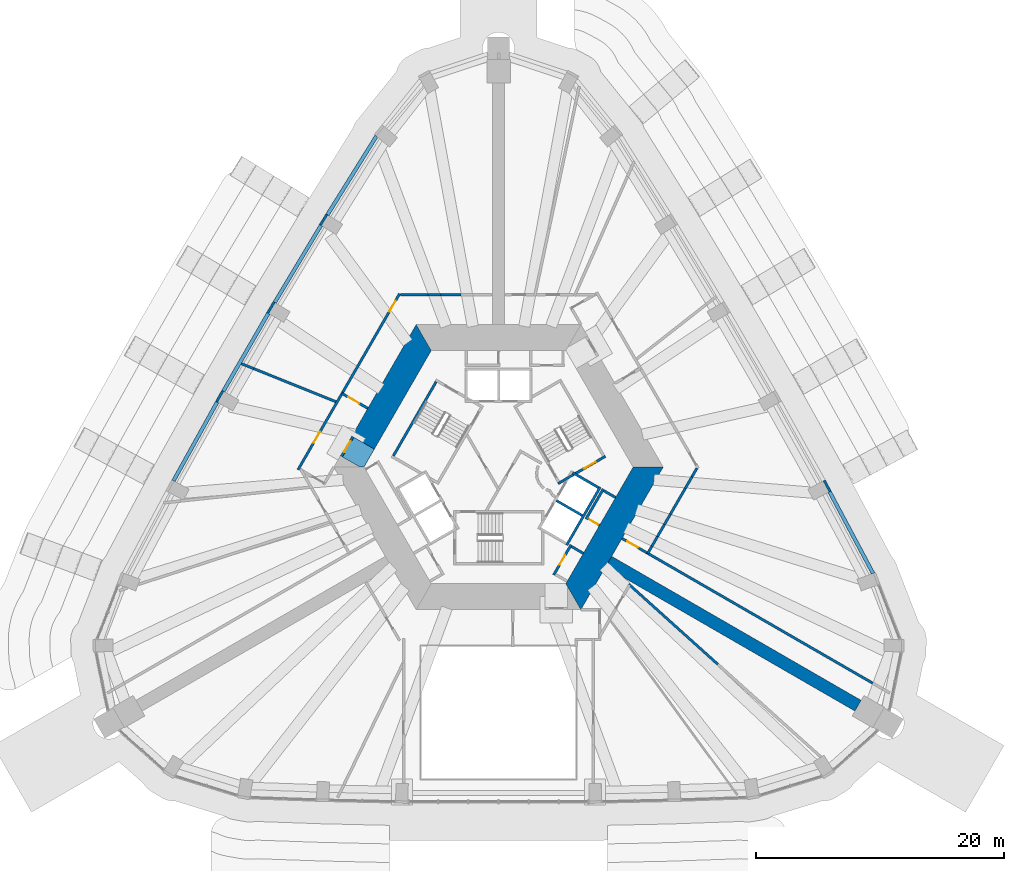
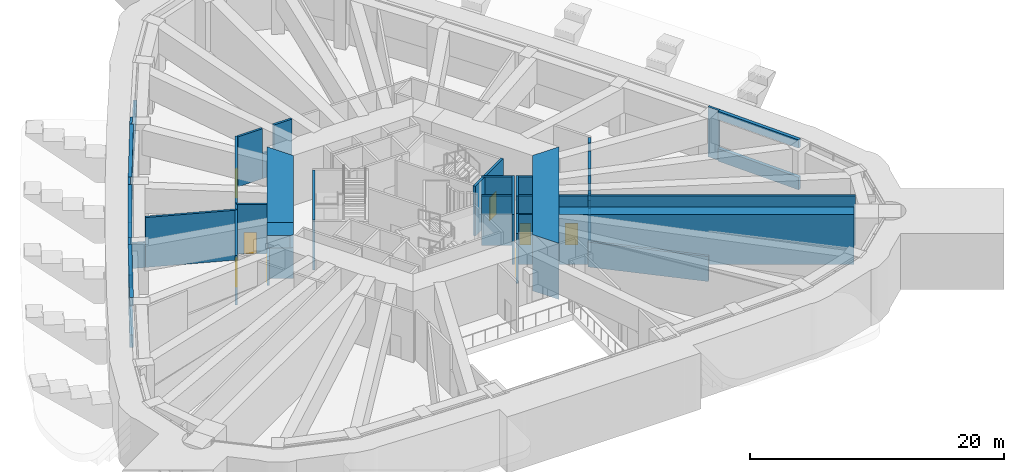
# One storey, part 10 of 21: 46 walls, 8 doors, 8 openings.
"""IFC4 building model written with IfcOpenShell, lengths in metres."""

from ifc_helpers import new_model, si_unit, direction, frame, frame_2d, origin, place, context, subcontext, project, spatial, polyline, rectangle, outline, extrude, material, layer, layer_set, type_object, element, fill, save


model = new_model("IFC4")

# Units and contexts
model_context = context("Model", 3, precision=1e-05, world=origin(), true_north=direction((0.0, 1.0)))
body_context = subcontext(model_context, "Body", "Model", "MODEL_VIEW")
ifc_project = project(units=[si_unit("LENGTHUNIT", "METRE"), si_unit("AREAUNIT", "SQUARE_METRE"), si_unit("VOLUMEUNIT", "CUBIC_METRE"), si_unit("PLANEANGLEUNIT", "RADIAN"), si_unit("MASSUNIT", "GRAM", prefix="KILO")], contexts=[model_context])

# Site, building, storey
site_placement = place(None, origin())
site = spatial("IfcSite", under=ifc_project, at=site_placement, CompositionType="ELEMENT")
building_placement = place(site_placement, origin())
building = spatial("IfcBuilding", under=site, at=building_placement, Name="Entoto Arch Interchange Tower", CompositionType="ELEMENT")
storey_placement = place(building_placement, frame((0.0, 0.0, 236.0)))
storey = spatial("IfcBuildingStorey", under=building, at=storey_placement, Name="L53", CompositionType="ELEMENT", Elevation=236.0)

# Wall, opening, door
ifc_material_1 = material(Name="Reinforced concrete C40/50", Category="concrete")
ifc_layer_1 = layer(ifc_material_1, 0.199951171875)
ifc_layer_set_1 = layer_set([ifc_layer_1], Name="Reinforced concrete C40/50")
wall_type_1 = type_object("IfcWallType", Name="CORE GAP INFILL WALL", PredefinedType="PARTITIONING", material=ifc_layer_set_1)
wall_1_placement = place(storey_placement, frame((-11.748046875, 4.951904296875, 0.0), z_axis=(0.0, 0.0, 1.0), x_axis=(-0.500215337403, -0.865901042976, 0.0)))
wall_1 = element("IfcWall", 1, at=wall_1_placement, inside=storey, type_object=wall_type_1, Name="wall:L53:gap3", PredefinedType="PARTITIONING", context=body_context, shape_type="SweptSolid", body=[
    extrude(rectangle(XDim=1.829345703125, YDim=0.199951171875, at=frame_2d((0.91455078125, 0.0))), origin(), (0.0, 0.0, 1.0), 2.39990234375),
])
opening_1_placement = place(wall_1_placement, frame((0.4150390625, 0.0, 0.0)))
opening_1 = element("IfcOpeningElement", 2, at=opening_1_placement, cuts=wall_1, Name="Opening L53-D93", PredefinedType="OPENING", context=body_context, shape_type="SweptSolid", body=[
    extrude(rectangle(XDim=1.0, YDim=2.10009765625, at=frame_2d((0.5, 1.050048828125))), frame((0.0, 0.10986328125, 0.0), z_axis=(0.0, -1.0, 0.0), x_axis=(1.0, 0.0, 0.0)), (0.0, 0.0, 1.0), 0.219970703125),
])
ifc_material_2 = material(Name="Fire-rated Steel S235 door and frame", Category="steel")
door_type_1 = type_object("IfcDoorType", Name="DOOR FD-10 1000x2100", OperationType="SINGLE_SWING_LEFT", PredefinedType="DOOR", material=ifc_material_2)
door_1_placement = place(opening_1_placement, origin())
door_1 = element("IfcDoor", 3, at=door_1_placement, inside=storey, type_object=door_type_1, Name="door:L53:gap3", OperationType="SINGLE_SWING_LEFT", OverallHeight=2.10009765625, OverallWidth=1.0, PredefinedType="DOOR", context=body_context, shape_type="SweptSolid", body=[
    extrude(rectangle(XDim=1.0, YDim=2.10009765625, at=frame_2d((0.5, 1.050048828125))), frame((0.0, 0.02490234375, 0.0), z_axis=(0.0, -1.0, 0.0), x_axis=(1.0, 0.0, 0.0)), (0.0, 0.0, 1.0), 0.050048828125),
])
fill(opening_1, door_1)

# Walls
ifc_material_3 = material(Name="Concrete C50/60", Category="concrete")
ifc_layer_2 = layer(ifc_material_3, 2.10009765625)
ifc_layer_set_2 = layer_set([ifc_layer_2], Name="Concrete C50/60")
wall_type_2 = type_object("IfcWallType", Name="Core wall 2100 C50/60", PredefinedType="SHEAR", material=ifc_layer_set_2)
wall_2_placement = place(storey_placement, frame((0.0, 0.0, -0.60009765625)))
element("IfcWall", 4, at=wall_2_placement, inside=storey, type_object=wall_type_2, Name="Core wall NW L53", PredefinedType="SHEAR", context=body_context, shape_type="SweptSolid", body=[
    extrude(outline(polyline([(-11.833984375, 5.001953125), (-10.01611328125, 3.951904296875), (-5.427001953125, 11.89990234375), (-6.639892578125, 14.0), (-11.833984375, 5.001953125)])), origin(), (0.0, 0.0, 1.0), 5.400146484375),
])
wall_3_placement = place(storey_placement, frame((0.0, 0.0, 3.60009765625)))
element("IfcWall", 5, at=wall_3_placement, inside=storey, type_object=wall_type_2, Name="Core wall lintel NW L53", PredefinedType="SHEAR", context=body_context, shape_type="SweptSolid", body=[
    extrude(outline(polyline([(-12.7490234375, 3.4169921875), (-11.159912109375, 2.5), (-10.85400390625, 2.5), (-10.01611328125, 3.951904296875), (-11.833984375, 5.001953125), (-12.7490234375, 3.4169921875)])), origin(), (0.0, 0.0, 1.0), 1.199951171875),
])
wall_4_placement = place(storey_placement, frame((0.0, 0.0, -0.60009765625)))
element("IfcWall", 6, at=wall_4_placement, inside=storey, type_object=wall_type_2, Name="Core wall SE L53", PredefinedType="SHEAR", context=body_context, shape_type="SweptSolid", body=[
    extrude(outline(polyline([(6.639892578125, -9.0), (13.279052734375, 2.5), (10.85400390625, 2.5), (5.427001953125, -6.89990234375), (6.639892578125, -9.0)])), origin(), (0.0, 0.0, 1.0), 5.400146484375),
])
ifc_material_4 = material(Name="Concrete C40/50", Category="concrete")
ifc_layer_3 = layer(ifc_material_4, 0.199951171875)
ifc_layer_set_3 = layer_set([ifc_layer_3], Name="Concrete C40/50")
wall_type_3 = type_object("IfcWallType", Name="LIFT SHAFT WALL 200", PredefinedType="STANDARD", material=ifc_layer_set_3)
wall_5_placement = place(storey_placement, frame((5.491943359375, -3.7880859375, 0.0), z_axis=(0.0, 0.0, 1.0), x_axis=(0.500034260056, 0.866005622828, 0.0)))
element("IfcWall", 7, at=wall_5_placement, inside=storey, type_object=wall_type_3, Name="Shaft wall SE1 back", PredefinedType="STANDARD", context=body_context, shape_type="SweptSolid", body=[
    extrude(rectangle(XDim=5.3994140625, YDim=0.199951171875, at=frame_2d((2.69970703125, 0.0))), origin(), (0.0, 0.0, 1.0), 4.800048828125),
])
for number, where, z_axis, x_axis, name in (
    (8, (4.677001953125, -0.199951171875, 0.0), (0.0, 0.0, 1.0), (0.865973769406, -0.500089422704, 0.0), "Shaft wall SE1 cross 2"),
    (9, (5.97705078125, 2.052001953125, 0.0), (0.0, 0.0, 1.0), (0.865973769406, -0.500089422704, 0.0), "Shaft wall SE1 cross 3"),
):
    element("IfcWall", number, at=place(storey_placement, frame(where, z_axis=z_axis, x_axis=x_axis)), inside=storey, type_object=wall_type_3, Name=name, PredefinedType="STANDARD", context=body_context, shape_type="SweptSolid", body=[
        extrude(rectangle(XDim=2.3994140625, YDim=0.199951171875, at=frame_2d((1.19970703125, 0.0))), origin(), (0.0, 0.0, 1.0), 4.800048828125),
    ])
ifc_layer_4 = layer(ifc_material_3, 1.0)
ifc_layer_set_4 = layer_set([ifc_layer_4], Name="Concrete C50/60")
wall_type_4 = type_object("IfcWallType", Name="Outrigger wall 1000 C50/60", PredefinedType="SHEAR", material=ifc_layer_set_4)
wall_6_placement = place(storey_placement, frame((8.876953125, -5.125, 0.0), z_axis=(0.0, 0.0, 1.0), x_axis=(0.866032640494, -0.499987465442, 0.0)))
element("IfcWall", 10, at=wall_6_placement, inside=storey, type_object=wall_type_4, Name="Outrigger wall SE L53", PredefinedType="SHEAR", context=body_context, shape_type="SweptSolid", body=[
    extrude(rectangle(XDim=23.232421875, YDim=1.0, at=frame_2d((11.6162109375, 0.0))), origin(), (0.0, 0.0, 1.0), 4.800048828125),
])

# Wall, opening, door
ifc_material_5 = material(Name="Gypsum board partition on steel studs", Category="steel")
ifc_layer_5 = layer(ifc_material_5, 0.199951171875)
ifc_layer_set_5 = layer_set([ifc_layer_5], Name="Gypsum board partition on steel studs")
wall_type_5 = type_object("IfcWallType", Name="PARTITION 200", PredefinedType="PARTITIONING", material=ifc_layer_set_5)
wall_7_placement = place(storey_placement, frame((4.450927734375, -6.18994140625, 0.0), z_axis=(0.0, 0.0, 1.0), x_axis=(0.500011755427, 0.866018616679, 0.0)))
wall_7 = element("IfcWall", 11, at=wall_7_placement, inside=storey, type_object=wall_type_5, Name="wall:L53:p008", PredefinedType="PARTITIONING", context=body_context, shape_type="SweptSolid", body=[
    extrude(rectangle(XDim=2.80029296875, YDim=0.199951171875, at=frame_2d((1.400146484375, 0.0))), origin(), (0.0, 0.0, 1.0), 4.800048828125),
])
opening_2_placement = place(wall_7_placement, frame((0.949951171875, 0.0, 0.0)))
opening_2 = element("IfcOpeningElement", 12, at=opening_2_placement, cuts=wall_7, Name="Opening L53-D24", PredefinedType="OPENING", context=body_context, shape_type="SweptSolid", body=[
    extrude(rectangle(XDim=0.89990234375, YDim=2.10009765625, at=frame_2d((0.449951171875, 1.050048828125))), frame((0.0, 0.10986328125, 0.0), z_axis=(0.0, -1.0, 0.0), x_axis=(1.0, 0.0, 0.0)), (0.0, 0.0, 1.0), 0.219970703125),
])
ifc_material_6 = material(Name="Timber door leaf in Steel S235 frame", Category="steel")
door_type_2 = type_object("IfcDoorType", Name="DOOR DS-09 900x2100", OperationType="SINGLE_SWING_LEFT", PredefinedType="DOOR", material=ifc_material_6)
door_2_placement = place(opening_2_placement, origin())
door_2 = element("IfcDoor", 13, at=door_2_placement, inside=storey, type_object=door_type_2, Name="door:L53:24", OperationType="SINGLE_SWING_LEFT", OverallHeight=2.10009765625, OverallWidth=0.89990234375, PredefinedType="DOOR", context=body_context, shape_type="SweptSolid", body=[
    extrude(rectangle(XDim=0.89990234375, YDim=2.10009765625, at=frame_2d((0.449951171875, 1.050048828125))), frame((0.0, 0.02490234375, 0.0), z_axis=(0.0, -1.0, 0.0), x_axis=(1.0, 0.0, 0.0)), (0.0, 0.0, 1.0), 0.050048828125),
])
fill(opening_2, door_2)

# Wall
wall_8_placement = place(storey_placement, frame((5.887939453125, -3.902099609375, 0.0), z_axis=(0.0, 0.0, 1.0), x_axis=(0.86621513555, -0.499671230855, 0.0)))
element("IfcWall", 14, at=wall_8_placement, inside=storey, type_object=wall_type_5, Name="wall:L53:p009", PredefinedType="PARTITIONING", context=body_context, shape_type="SweptSolid", body=[
    extrude(rectangle(XDim=1.100341796875, YDim=0.199951171875, at=frame_2d((0.55029296875, 0.0))), origin(), (0.0, 0.0, 1.0), 4.800048828125),
])

# Wall, opening, door
wall_9_placement = place(storey_placement, frame((8.139892578125, -2.199951171875, 0.0), z_axis=(0.0, 0.0, 1.0), x_axis=(-0.865841558281, 0.500318294642, 0.0)))
wall_9 = element("IfcWall", 15, at=wall_9_placement, inside=storey, type_object=wall_type_5, Name="wall:L53:p010", PredefinedType="PARTITIONING", context=body_context, shape_type="SweptSolid", body=[
    extrude(rectangle(XDim=1.099365234375, YDim=0.199951171875, at=frame_2d((0.5498046875, 0.0))), origin(), (0.0, 0.0, 1.0), 4.800048828125),
])
opening_3_placement = place(wall_9_placement, frame((0.10009765625, 0.0, 0.0)))
opening_3 = element("IfcOpeningElement", 16, at=opening_3_placement, cuts=wall_9, Name="Opening L53-D25", PredefinedType="OPENING", context=body_context, shape_type="SweptSolid", body=[
    extrude(rectangle(XDim=0.89990234375, YDim=2.10009765625, at=frame_2d((0.449951171875, 1.050048828125))), frame((0.0, 0.10986328125, 0.0), z_axis=(0.0, -1.0, 0.0), x_axis=(1.0, 0.0, 0.0)), (0.0, 0.0, 1.0), 0.219970703125),
])
door_3_placement = place(opening_3_placement, origin())
door_3 = element("IfcDoor", 17, at=door_3_placement, inside=storey, type_object=door_type_2, Name="door:L53:25", OperationType="SINGLE_SWING_RIGHT", OverallHeight=2.10009765625, OverallWidth=0.89990234375, PredefinedType="DOOR", context=body_context, shape_type="SweptSolid", body=[
    extrude(rectangle(XDim=0.89990234375, YDim=2.10009765625, at=frame_2d((0.449951171875, 1.050048828125))), frame((0.0, 0.02490234375, 0.0), z_axis=(0.0, -1.0, 0.0), x_axis=(1.0, 0.0, 0.0)), (0.0, 0.0, 1.0), 0.050048828125),
])
fill(opening_3, door_3)

# Walls
wall_10_placement = place(storey_placement, frame((7.051025390625, -1.68701171875, 0.0), z_axis=(0.0, 0.0, 1.0), x_axis=(0.49994636267, 0.866056369097, 0.0)))
element("IfcWall", 18, at=wall_10_placement, inside=storey, type_object=wall_type_5, Name="wall:L53:p011", PredefinedType="PARTITIONING", context=body_context, shape_type="SweptSolid", body=[
    extrude(rectangle(XDim=2.800048828125, YDim=0.199951171875, at=frame_2d((1.39990234375, 0.0))), origin(), (0.0, 0.0, 1.0), 4.800048828125),
])
wall_11_placement = place(storey_placement, frame((8.488037109375, 0.60205078125, 0.0), z_axis=(0.0, 0.0, 1.0), x_axis=(0.866063652425, -0.499933745558, 0.0)))
element("IfcWall", 19, at=wall_11_placement, inside=storey, type_object=wall_type_5, Name="wall:L53:p012", PredefinedType="PARTITIONING", context=body_context, shape_type="SweptSolid", body=[
    extrude(rectangle(XDim=1.100341796875, YDim=0.199951171875, at=frame_2d((0.55029296875, 0.0))), origin(), (0.0, 0.0, 1.0), 4.800048828125),
])
wall_12_placement = place(storey_placement, frame((10.491943359375, -6.93310546875, 0.0), z_axis=(0.0, 0.0, 1.0), x_axis=(0.743607411776, -0.668616494825, 0.0)))
element("IfcWall", 20, at=wall_12_placement, inside=storey, type_object=wall_type_5, Name="wall:L53:p046", PredefinedType="PARTITIONING", context=body_context, shape_type="SweptSolid", body=[
    extrude(rectangle(XDim=9.685302734375, YDim=0.199951171875, at=frame_2d((4.8427734375, 0.0))), origin(), (0.0, 0.0, 1.0), 2.39990234375),
])

# Wall, opening, door
wall_13_placement = place(storey_placement, frame((11.950927734375, -4.39990234375, 0.0), z_axis=(0.0, 0.0, 1.0), x_axis=(-0.866053019151, 0.499952165731, 0.0)))
wall_13 = element("IfcWall", 21, at=wall_13_placement, inside=storey, type_object=wall_type_5, Name="wall:L53:p047", PredefinedType="PARTITIONING", context=body_context, shape_type="SweptSolid", body=[
    extrude(rectangle(XDim=2.300048828125, YDim=0.199951171875, at=frame_2d((1.14990234375, 0.0))), origin(), (0.0, 0.0, 1.0), 4.800048828125),
])
opening_4_placement = place(wall_13_placement, frame((0.821044921875, 0.0, 0.0)))
opening_4 = element("IfcOpeningElement", 22, at=opening_4_placement, cuts=wall_13, Name="Opening L53-D19", PredefinedType="OPENING", context=body_context, shape_type="SweptSolid", body=[
    extrude(rectangle(XDim=1.0, YDim=2.10009765625, at=frame_2d((0.5, 1.050048828125))), frame((0.0, 0.10986328125, 0.0), z_axis=(0.0, -1.0, 0.0), x_axis=(1.0, 0.0, 0.0)), (0.0, 0.0, 1.0), 0.219970703125),
])
door_type_3 = type_object("IfcDoorType", Name="DOOR DS-10 1000x2100", OperationType="SINGLE_SWING_LEFT", PredefinedType="DOOR", material=ifc_material_6)
door_4_placement = place(opening_4_placement, origin())
door_4 = element("IfcDoor", 23, at=door_4_placement, inside=storey, type_object=door_type_3, Name="door:L53:19", OperationType="SINGLE_SWING_LEFT", OverallHeight=2.10009765625, OverallWidth=1.0, PredefinedType="DOOR", context=body_context, shape_type="SweptSolid", body=[
    extrude(rectangle(XDim=1.0, YDim=2.10009765625, at=frame_2d((0.5, 1.050048828125))), frame((0.0, 0.02490234375, 0.0), z_axis=(0.0, -1.0, 0.0), x_axis=(1.0, 0.0, 0.0)), (0.0, 0.0, 1.0), 0.050048828125),
])
fill(opening_4, door_4)

# Walls
wall_14_placement = place(storey_placement, frame((11.950927734375, -4.39990234375, 0.0), z_axis=(0.0, 0.0, 1.0), x_axis=(0.866036805702, -0.49998025078, 0.0)))
element("IfcWall", 24, at=wall_14_placement, inside=storey, type_object=wall_type_5, Name="wall:L53:p048", PredefinedType="PARTITIONING", context=body_context, shape_type="SweptSolid", body=[
    extrude(rectangle(XDim=21.040771484375, YDim=0.199951171875, at=frame_2d((10.5205078125, 0.0))), origin(), (0.0, 0.0, 1.0), 4.800048828125),
])
wall_15_placement = place(storey_placement, frame((16.0, 2.4130859375, 0.0), z_axis=(0.0, 0.0, 1.0), x_axis=(-0.499775670035, -0.866154882016, 0.0)))
element("IfcWall", 25, at=wall_15_placement, inside=storey, type_object=wall_type_5, Name="wall:L53:p054", PredefinedType="PARTITIONING", context=body_context, shape_type="SweptSolid", body=[
    extrude(rectangle(XDim=0.794189453125, YDim=0.199951171875, at=frame_2d((0.39697265625, 0.0))), origin(), (0.0, 0.0, 1.0), 4.800048828125),
])

# Wall, opening, door
wall_16_placement = place(storey_placement, frame((-12.6201171875, 8.44091796875, 0.0), z_axis=(0.0, 0.0, 1.0), x_axis=(0.865999212041, -0.500045362686, 0.0)))
wall_16 = element("IfcWall", 26, at=wall_16_placement, inside=storey, type_object=wall_type_5, Name="wall:L53:p062", PredefinedType="PARTITIONING", context=body_context, shape_type="SweptSolid", body=[
    extrude(rectangle(XDim=2.399658203125, YDim=0.199951171875, at=frame_2d((1.19970703125, 0.0))), origin(), (0.0, 0.0, 1.0), 4.800048828125),
])
opening_5_placement = place(wall_16_placement, frame((0.60009765625, 0.0, 0.0)))
opening_5 = element("IfcOpeningElement", 27, at=opening_5_placement, cuts=wall_16, Name="Opening L53-D12", PredefinedType="OPENING", context=body_context, shape_type="SweptSolid", body=[
    extrude(rectangle(XDim=1.0, YDim=2.10009765625, at=frame_2d((0.5, 1.050048828125))), frame((0.0, 0.10986328125, 0.0), z_axis=(0.0, -1.0, 0.0), x_axis=(1.0, 0.0, 0.0)), (0.0, 0.0, 1.0), 0.219970703125),
])
door_5_placement = place(opening_5_placement, origin())
door_5 = element("IfcDoor", 28, at=door_5_placement, inside=storey, type_object=door_type_1, Name="door:L53:12", OperationType="SINGLE_SWING_RIGHT", OverallHeight=2.10009765625, OverallWidth=1.0, PredefinedType="DOOR", context=body_context, shape_type="SweptSolid", body=[
    extrude(rectangle(XDim=1.0, YDim=2.10009765625, at=frame_2d((0.5, 1.050048828125))), frame((0.0, 0.02490234375, 0.0), z_axis=(0.0, -1.0, 0.0), x_axis=(1.0, 0.0, 0.0)), (0.0, 0.0, 1.0), 0.050048828125),
])
fill(opening_5, door_5)

wall_17_placement = place(storey_placement, frame((-16.169921875, 2.2919921875, 0.0), z_axis=(0.0, 0.0, 1.0), x_axis=(0.499942581134, 0.866058552045, 0.0)))
wall_17 = element("IfcWall", 29, at=wall_17_placement, inside=storey, type_object=wall_type_5, Name="wall:L53:p065", PredefinedType="PARTITIONING", context=body_context, shape_type="SweptSolid", body=[
    extrude(rectangle(XDim=7.200439453125, YDim=0.199951171875, at=frame_2d((3.60009765625, 0.0))), origin(), (0.0, 0.0, 1.0), 4.800048828125),
])
opening_6_placement = place(wall_17_placement, frame((2.510009765625, 0.0, 0.0)))
opening_6 = element("IfcOpeningElement", 30, at=opening_6_placement, cuts=wall_17, Name="Opening L53-D14", PredefinedType="OPENING", context=body_context, shape_type="SweptSolid", body=[
    extrude(rectangle(XDim=1.0, YDim=2.10009765625, at=frame_2d((0.5, 1.050048828125))), frame((0.0, 0.10986328125, 0.0), z_axis=(0.0, -1.0, 0.0), x_axis=(1.0, 0.0, 0.0)), (0.0, 0.0, 1.0), 0.219970703125),
])
door_6_placement = place(opening_6_placement, origin())
door_6 = element("IfcDoor", 31, at=door_6_placement, inside=storey, type_object=door_type_1, Name="door:L53:14", OperationType="SINGLE_SWING_RIGHT", OverallHeight=2.10009765625, OverallWidth=1.0, PredefinedType="DOOR", context=body_context, shape_type="SweptSolid", body=[
    extrude(rectangle(XDim=1.0, YDim=2.10009765625, at=frame_2d((0.5, 1.050048828125))), frame((0.0, 0.02490234375, 0.0), z_axis=(0.0, -1.0, 0.0), x_axis=(1.0, 0.0, 0.0)), (0.0, 0.0, 1.0), 0.050048828125),
])
fill(opening_6, door_6)

# Wall
wall_18_placement = place(storey_placement, frame((-7.926025390625, 16.39990234375, 0.0), z_axis=(0.0, 0.0, 1.0), x_axis=(1.0, 0.0, 0.0)))
element("IfcWall", 32, at=wall_18_placement, inside=storey, type_object=wall_type_5, Name="wall:L53:p066", PredefinedType="PARTITIONING", context=body_context, shape_type="SweptSolid", body=[
    extrude(rectangle(XDim=2.22412109375, YDim=0.199951171875, at=frame_2d((1.112060546875, 0.0))), origin(), (0.0, 0.0, 1.0), 4.800048828125),
])

# Wall, opening, door
wall_19_placement = place(storey_placement, frame((-12.570068359375, 8.528076171875, 0.0), z_axis=(0.0, 0.0, 1.0), x_axis=(0.499907967521, 0.866078532241, 0.0)))
wall_19 = element("IfcWall", 33, at=wall_19_placement, inside=storey, type_object=wall_type_5, Name="wall:L53:p067", PredefinedType="PARTITIONING", context=body_context, shape_type="SweptSolid", body=[
    extrude(rectangle(XDim=9.189697265625, YDim=0.199951171875, at=frame_2d((4.5947265625, 0.0))), origin(), (0.0, 0.0, 1.0), 4.800048828125),
])
opening_7_placement = place(wall_19_placement, frame((7.534912109375, 0.0, 0.0)))
opening_7 = element("IfcOpeningElement", 34, at=opening_7_placement, cuts=wall_19, Name="Opening L53-D15", PredefinedType="OPENING", context=body_context, shape_type="SweptSolid", body=[
    extrude(rectangle(XDim=1.0, YDim=2.10009765625, at=frame_2d((0.5, 1.050048828125))), frame((0.0, 0.10986328125, 0.0), z_axis=(0.0, -1.0, 0.0), x_axis=(1.0, 0.0, 0.0)), (0.0, 0.0, 1.0), 0.219970703125),
])
door_7_placement = place(opening_7_placement, origin())
door_7 = element("IfcDoor", 35, at=door_7_placement, inside=storey, type_object=door_type_1, Name="door:L53:15", OperationType="SINGLE_SWING_LEFT", OverallHeight=2.10009765625, OverallWidth=1.0, PredefinedType="DOOR", context=body_context, shape_type="SweptSolid", body=[
    extrude(rectangle(XDim=1.0, YDim=2.10009765625, at=frame_2d((0.5, 1.050048828125))), frame((0.0, 0.02490234375, 0.0), z_axis=(0.0, -1.0, 0.0), x_axis=(1.0, 0.0, 0.0)), (0.0, 0.0, 1.0), 0.050048828125),
])
fill(opening_7, door_7)

# Walls
wall_20_placement = place(storey_placement, frame((-20.738037109375, 10.844970703125, 0.0), z_axis=(0.0, 0.0, 1.0), x_axis=(0.927817184834, -0.373035214862, 0.0)))
element("IfcWall", 36, at=wall_20_placement, inside=storey, type_object=wall_type_5, Name="wall:L53:p070", PredefinedType="PARTITIONING", context=body_context, shape_type="SweptSolid", body=[
    extrude(rectangle(XDim=1.07470703125, YDim=0.199951171875, at=frame_2d((0.537353515625, 0.0))), origin(), (0.0, 0.0, 1.0), 2.39990234375),
])
wall_21_placement = place(storey_placement, frame((15.60302734375, 1.72509765625, 0.0), z_axis=(0.0, 0.0, 1.0), x_axis=(-0.500348398615, -0.865824162289, 0.0)))
element("IfcWall", 37, at=wall_21_placement, inside=storey, type_object=wall_type_5, Name="wall:L53:p054", PredefinedType="PARTITIONING", context=body_context, shape_type="SweptSolid", body=[
    extrude(rectangle(XDim=1.091552734375, YDim=0.199951171875, at=frame_2d((0.5458984375, 0.0))), origin(), (0.0, 0.0, 1.0), 2.39990234375),
])
wall_22_placement = place(storey_placement, frame((15.056884765625, 0.780029296875, 0.0), z_axis=(0.0, 0.0, 1.0), x_axis=(-0.499905644439, -0.86607987314, 0.0)))
element("IfcWall", 38, at=wall_22_placement, inside=storey, type_object=wall_type_5, Name="wall:L53:p054", PredefinedType="PARTITIONING", context=body_context, shape_type="SweptSolid", body=[
    extrude(rectangle(XDim=2.38427734375, YDim=0.199951171875, at=frame_2d((1.192138671875, 0.0))), origin(), (0.0, 0.0, 1.0), 4.800048828125),
])
wall_23_placement = place(storey_placement, frame((13.864990234375, -1.284912109375, 0.0), z_axis=(0.0, 0.0, 1.0), x_axis=(-0.499555159482, -0.866282080292, 0.0)))
element("IfcWall", 39, at=wall_23_placement, inside=storey, type_object=wall_type_5, Name="wall:L53:p054", PredefinedType="PARTITIONING", context=body_context, shape_type="SweptSolid", body=[
    extrude(rectangle(XDim=0.96875, YDim=0.199951171875, at=frame_2d((0.484375, 0.0))), origin(), (0.0, 0.0, 1.0), 2.39990234375),
])
wall_24_placement = place(storey_placement, frame((13.381103515625, -2.1240234375, 0.0), z_axis=(0.0, 0.0, 1.0), x_axis=(-0.500431039639, -0.865776399866, 0.0)))
element("IfcWall", 40, at=wall_24_placement, inside=storey, type_object=wall_type_5, Name="wall:L53:p054", PredefinedType="PARTITIONING", context=body_context, shape_type="SweptSolid", body=[
    extrude(rectangle(XDim=1.11328125, YDim=0.199951171875, at=frame_2d((0.556640625, 0.0))), origin(), (0.0, 0.0, 1.0), 4.800048828125),
])
wall_25_placement = place(storey_placement, frame((12.823974609375, -3.087890625, 0.0), z_axis=(0.0, 0.0, 1.0), x_axis=(-0.499454108712, -0.866340344952, 0.0)))
element("IfcWall", 41, at=wall_25_placement, inside=storey, type_object=wall_type_5, Name="wall:L53:p054", PredefinedType="PARTITIONING", context=body_context, shape_type="SweptSolid", body=[
    extrude(rectangle(XDim=0.9189453125, YDim=0.199951171875, at=frame_2d((0.45947265625, 0.0))), origin(), (0.0, 0.0, 1.0), 2.39990234375),
])
wall_26_placement = place(storey_placement, frame((12.364990234375, -3.884033203125, 0.0), z_axis=(0.0, 0.0, 1.0), x_axis=(-0.500196687681, -0.865911816314, 0.0)))
element("IfcWall", 42, at=wall_26_placement, inside=storey, type_object=wall_type_5, Name="wall:L53:p054", PredefinedType="PARTITIONING", context=body_context, shape_type="SweptSolid", body=[
    extrude(rectangle(XDim=0.653564453125, YDim=0.199951171875, at=frame_2d((0.32666015625, 0.0))), origin(), (0.0, 0.0, 1.0), 4.800048828125),
])
wall_27_placement = place(storey_placement, frame((-5.701904296875, 16.39990234375, 0.0), z_axis=(0.0, 0.0, 1.0), x_axis=(1.0, 0.0, 0.0)))
element("IfcWall", 43, at=wall_27_placement, inside=storey, type_object=wall_type_5, Name="wall:L53:p066", PredefinedType="PARTITIONING", context=body_context, shape_type="SweptSolid", body=[
    extrude(rectangle(XDim=1.034912109375, YDim=0.199951171875, at=frame_2d((0.517578125, 0.0))), origin(), (0.0, 0.0, 1.0), 2.39990234375),
])
wall_28_placement = place(storey_placement, frame((-4.6669921875, 16.39990234375, 0.0), z_axis=(0.0, 0.0, 1.0), x_axis=(1.0, 0.0, 0.0)))
element("IfcWall", 44, at=wall_28_placement, inside=storey, type_object=wall_type_5, Name="wall:L53:p066", PredefinedType="PARTITIONING", context=body_context, shape_type="SweptSolid", body=[
    extrude(rectangle(XDim=1.65087890625, YDim=0.199951171875, at=frame_2d((0.825439453125, 0.0))), origin(), (0.0, 0.0, 1.0), 4.800048828125),
])
wall_29_placement = place(storey_placement, frame((-19.740966796875, 10.444091796875, 0.0), z_axis=(0.0, 0.0, 1.0), x_axis=(0.927679169768, -0.373378304107, 0.0)))
element("IfcWall", 45, at=wall_29_placement, inside=storey, type_object=wall_type_5, Name="wall:L53:p070", PredefinedType="PARTITIONING", context=body_context, shape_type="SweptSolid", body=[
    extrude(rectangle(XDim=7.23974609375, YDim=0.199951171875, at=frame_2d((3.619873046875, 0.0))), origin(), (0.0, 0.0, 1.0), 4.800048828125),
])
ifc_material_7 = material(Name="Board-marked precast concrete C50/60", Category="concrete")
ifc_layer_6 = layer(ifc_material_7, 0.199951171875)
ifc_layer_set_6 = layer_set([ifc_layer_6], Name="Board-marked precast concrete C50/60")
wall_type_6 = type_object("IfcWallType", Name="PRECAST FRAME WALL 200", PredefinedType="STANDARD", material=ifc_layer_set_6)
wall_30_placement = place(storey_placement, frame((26.738037109375, 0.547119140625, 0.0), z_axis=(0.0, 0.0, 1.0), x_axis=(-0.473954279336, 0.880549454091, 0.0)))
element("IfcWall", 46, at=wall_30_placement, inside=storey, type_object=wall_type_6, Name="Frame pier NE02 L53", PredefinedType="STANDARD", context=body_context, shape_type="SweptSolid", body=[
    extrude(rectangle(XDim=1.000244140625, YDim=0.199951171875, at=frame_2d((0.5, 0.0))), origin(), (0.0, 0.0, 1.0), 4.800048828125),
])
wall_31_placement = place(storey_placement, frame((-13.843017578125, 22.883056640625, 0.0), z_axis=(0.0, 0.0, 1.0), x_axis=(-0.525648735675, -0.850701714282, 0.0)))
element("IfcWall", 47, at=wall_31_placement, inside=storey, type_object=wall_type_6, Name="Frame pier NW02 L53", PredefinedType="STANDARD", context=body_context, shape_type="SweptSolid", body=[
    extrude(rectangle(XDim=1.00048828125, YDim=0.199951171875, at=frame_2d((0.500244140625, 0.0))), origin(), (0.0, 0.0, 1.0), 4.800048828125),
])
wall_32_placement = place(storey_placement, frame((-18.10302734375, 15.801025390625, 0.0), z_axis=(0.0, 0.0, 1.0), x_axis=(-0.508161541526, -0.861261776531, 0.0)))
element("IfcWall", 48, at=wall_32_placement, inside=storey, type_object=wall_type_6, Name="Frame pier NW03 L53", PredefinedType="STANDARD", context=body_context, shape_type="SweptSolid", body=[
    extrude(rectangle(XDim=0.999755859375, YDim=0.199951171875, at=frame_2d((0.5, 0.0))), origin(), (0.0, 0.0, 1.0), 4.800048828125),
])
wall_33_placement = place(storey_placement, frame((-22.242919921875, 8.64794921875, 0.0), z_axis=(0.0, 0.0, 1.0), x_axis=(-0.492033129803, -0.870576475202, 0.0)))
element("IfcWall", 49, at=wall_33_placement, inside=storey, type_object=wall_type_6, Name="Frame pier NW04 L53", PredefinedType="STANDARD", context=body_context, shape_type="SweptSolid", body=[
    extrude(rectangle(XDim=1.000244140625, YDim=0.199951171875, at=frame_2d((0.5, 0.0))), origin(), (0.0, 0.0, 1.0), 4.800048828125),
])
ifc_layer_7 = layer(ifc_material_7, 0.300048828125)
ifc_layer_set_7 = layer_set([ifc_layer_7], Name="Board-marked precast concrete C50/60")
wall_type_7 = type_object("IfcWallType", Name="PRECAST FRAME WALL 300", PredefinedType="STANDARD", material=ifc_layer_set_7)
wall_34_placement = place(storey_placement, frame((30.20703125, -6.068115234375, 0.0), z_axis=(0.0, 0.0, 1.0), x_axis=(-0.470523779067, 0.882387314807, 0.0)))
element("IfcWall", 50, at=wall_34_placement, inside=storey, type_object=wall_type_7, Name="Frame sill wall NE-01 L53", PredefinedType="STANDARD", context=body_context, shape_type="SweptSolid", body=[
    extrude(rectangle(XDim=7.470703125, YDim=0.300048828125, at=frame_2d((3.7353515625, 0.0))), origin(), (0.0, 0.0, 1.0), 1.199951171875),
])
wall_35_placement = place(storey_placement, frame((30.20703125, -6.068115234375, 4.0), z_axis=(0.0, 0.0, 1.0), x_axis=(-0.470523779067, 0.882387314807, 0.0)))
element("IfcWall", 51, at=wall_35_placement, inside=storey, type_object=wall_type_7, Name="Frame head wall NE-01 L53", PredefinedType="STANDARD", context=body_context, shape_type="SweptSolid", body=[
    extrude(rectangle(XDim=7.470703125, YDim=0.300048828125, at=frame_2d((3.7353515625, 0.0))), origin(), (0.0, 0.0, 1.0), 0.800048828125),
])
wall_36_placement = place(storey_placement, frame((-9.847900390625, 29.194091796875, 0.0), z_axis=(0.0, 0.0, 1.0), x_axis=(-0.528961462244, -0.848645845722, 0.0)))
element("IfcWall", 52, at=wall_36_placement, inside=storey, type_object=wall_type_7, Name="Frame sill wall NW-01 L53", PredefinedType="STANDARD", context=body_context, shape_type="SweptSolid", body=[
    extrude(rectangle(XDim=7.4697265625, YDim=0.300048828125, at=frame_2d((3.73486328125, 0.0))), origin(), (0.0, 0.0, 1.0), 1.199951171875),
])
wall_37_placement = place(storey_placement, frame((-14.320068359375, 22.0029296875, 0.0), z_axis=(0.0, 0.0, 1.0), x_axis=(-0.51437714024, -0.857564083669, 0.0)))
element("IfcWall", 53, at=wall_37_placement, inside=storey, type_object=wall_type_7, Name="Frame sill wall NW-02 L53", PredefinedType="STANDARD", context=body_context, shape_type="SweptSolid", body=[
    extrude(rectangle(XDim=7.2646484375, YDim=0.300048828125, at=frame_2d((3.63232421875, 0.0))), origin(), (0.0, 0.0, 1.0), 1.199951171875),
])
wall_38_placement = place(storey_placement, frame((-14.320068359375, 22.0029296875, 4.0), z_axis=(0.0, 0.0, 1.0), x_axis=(-0.51437714024, -0.857564083669, 0.0)))
element("IfcWall", 54, at=wall_38_placement, inside=storey, type_object=wall_type_7, Name="Frame head wall NW-02 L53", PredefinedType="STANDARD", context=body_context, shape_type="SweptSolid", body=[
    extrude(rectangle(XDim=7.2646484375, YDim=0.300048828125, at=frame_2d((3.63232421875, 0.0))), origin(), (0.0, 0.0, 1.0), 0.800048828125),
])
wall_39_placement = place(storey_placement, frame((-18.56298828125, 14.9130859375, 0.0), z_axis=(0.0, 0.0, 1.0), x_axis=(-0.499980331134, -0.866036759312, 0.0)))
element("IfcWall", 55, at=wall_39_placement, inside=storey, type_object=wall_type_7, Name="Frame sill wall NW-03 L53", PredefinedType="STANDARD", context=body_context, shape_type="SweptSolid", body=[
    extrude(rectangle(XDim=7.266357421875, YDim=0.300048828125, at=frame_2d((3.63330078125, 0.0))), origin(), (0.0, 0.0, 1.0), 1.199951171875),
])
wall_40_placement = place(storey_placement, frame((-18.56298828125, 14.9130859375, 4.0), z_axis=(0.0, 0.0, 1.0), x_axis=(-0.499980331134, -0.866036759312, 0.0)))
element("IfcWall", 56, at=wall_40_placement, inside=storey, type_object=wall_type_7, Name="Frame head wall NW-03 L53", PredefinedType="STANDARD", context=body_context, shape_type="SweptSolid", body=[
    extrude(rectangle(XDim=7.266357421875, YDim=0.300048828125, at=frame_2d((3.63330078125, 0.0))), origin(), (0.0, 0.0, 1.0), 0.800048828125),
])
wall_41_placement = place(storey_placement, frame((-22.68798828125, 7.751953125, 0.0), z_axis=(0.0, 0.0, 1.0), x_axis=(-0.485451767121, -0.874263451025, 0.0)))
element("IfcWall", 57, at=wall_41_placement, inside=storey, type_object=wall_type_7, Name="Frame sill wall NW-04 L53", PredefinedType="STANDARD", context=body_context, shape_type="SweptSolid", body=[
    extrude(rectangle(XDim=7.265625, YDim=0.300048828125, at=frame_2d((3.6328125, 0.0))), origin(), (0.0, 0.0, 1.0), 1.199951171875),
])
wall_42_placement = place(storey_placement, frame((-22.68798828125, 7.751953125, 4.0), z_axis=(0.0, 0.0, 1.0), x_axis=(-0.485451767121, -0.874263451025, 0.0)))
element("IfcWall", 58, at=wall_42_placement, inside=storey, type_object=wall_type_7, Name="Frame head wall NW-04 L53", PredefinedType="STANDARD", context=body_context, shape_type="SweptSolid", body=[
    extrude(rectangle(XDim=7.265625, YDim=0.300048828125, at=frame_2d((3.6328125, 0.0))), origin(), (0.0, 0.0, 1.0), 0.800048828125),
])

# Wall, opening, door
ifc_layer_8 = layer(ifc_material_4, 0.199951171875)
ifc_layer_set_8 = layer_set([ifc_layer_8], Name="Concrete C40/50")
wall_type_8 = type_object("IfcWallType", Name="STAIR ENCLOSURE WALL 200", PredefinedType="STANDARD", material=ifc_layer_set_8)
wall_43_placement = place(storey_placement, frame((4.805908203125, 1.176025390625, 0.0), z_axis=(0.0, 0.0, 1.0), x_axis=(0.866059941101, 0.499940174841, 0.0)))
wall_43 = element("IfcWall", 59, at=wall_43_placement, inside=storey, type_object=wall_type_8, Name="Stair wall ST-NE near", PredefinedType="STANDARD", context=body_context, shape_type="SweptSolid", body=[
    extrude(rectangle(XDim=4.400390625, YDim=0.199951171875, at=frame_2d((2.2001953125, 0.0))), origin(), (0.0, 0.0, 1.0), 4.800048828125),
])
opening_8_placement = place(wall_43_placement, frame((2.39990234375, 0.0, 0.0)))
opening_8 = element("IfcOpeningElement", 60, at=opening_8_placement, cuts=wall_43, Name="Opening SD-ST-NE-L53-E", PredefinedType="OPENING", context=body_context, shape_type="SweptSolid", body=[
    extrude(rectangle(XDim=1.10009765625, YDim=2.199951171875, at=frame_2d((0.550048828125, 1.10009765625))), frame((0.0, 0.10986328125, 0.0), z_axis=(0.0, -1.0, 0.0), x_axis=(1.0, 0.0, 0.0)), (0.0, 0.0, 1.0), 0.219970703125),
])
ifc_material_8 = material(Name="Steel S235", Category="steel")
door_type_4 = type_object("IfcDoorType", Name="STAIR DOOR SD1 1100x2200", OperationType="SINGLE_SWING_LEFT", PredefinedType="DOOR", material=ifc_material_8)
door_8_placement = place(opening_8_placement, origin())
door_8 = element("IfcDoor", 61, at=door_8_placement, inside=storey, type_object=door_type_4, Name="Stair door ST-NE L53 end", OperationType="SINGLE_SWING_LEFT", OverallHeight=2.199951171875, OverallWidth=1.10009765625, PredefinedType="DOOR", context=body_context, shape_type="SweptSolid", body=[
    extrude(rectangle(XDim=1.10009765625, YDim=2.199951171875, at=frame_2d((0.550048828125, 1.10009765625))), frame((0.0, 0.02490234375, 0.0), z_axis=(0.0, -1.0, 0.0), x_axis=(1.0, 0.0, 0.0)), (0.0, 0.0, 1.0), 0.050048828125),
])
fill(opening_8, door_8)

# Wall
wall_44_placement = place(storey_placement, frame((-5.030029296875, 9.387939453125, 0.0), z_axis=(0.0, 0.0, 1.0), x_axis=(-0.499978703459, -0.866037698999, 0.0)))
element("IfcWall", 62, at=wall_44_placement, inside=storey, type_object=wall_type_8, Name="Stair wall ST-NW back", PredefinedType="STANDARD", context=body_context, shape_type="SweptSolid", body=[
    extrude(rectangle(XDim=6.900146484375, YDim=0.199951171875, at=frame_2d((3.4501953125, 0.0))), origin(), (0.0, 0.0, 1.0), 4.800048828125),
])

save(model, "model.ifc")
